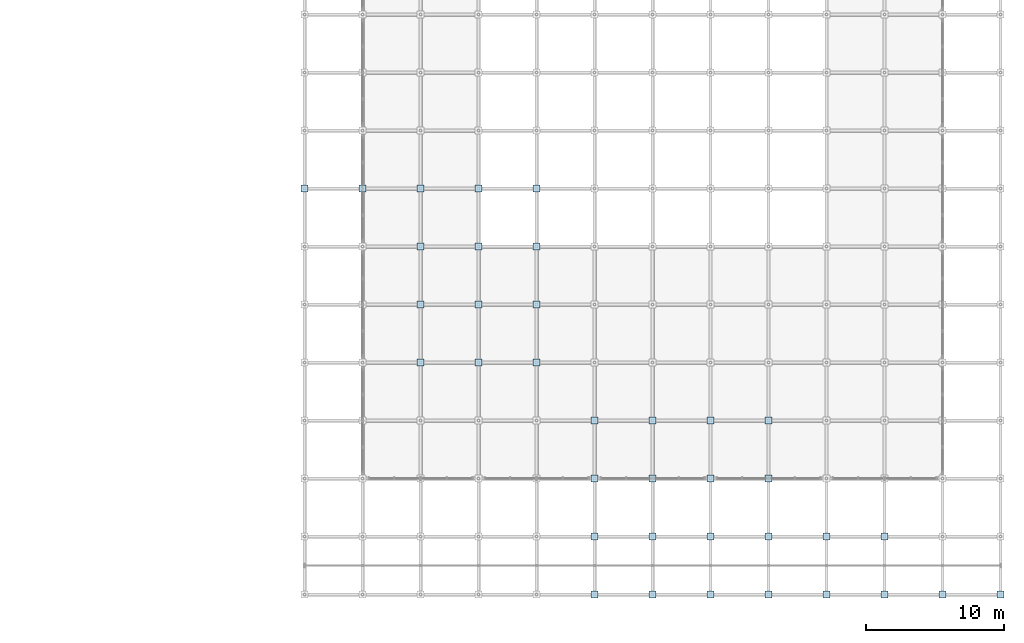
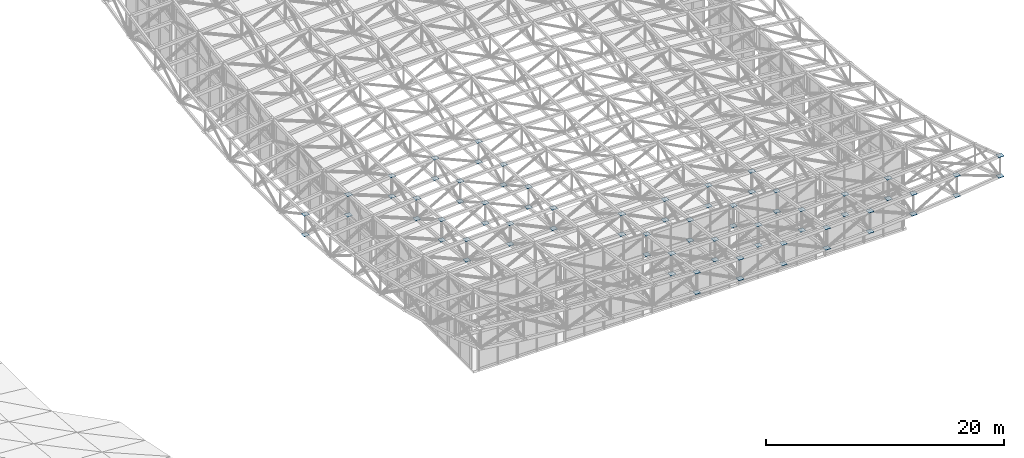
# One storey, part 75 of 123: 72 plates.
"""IFC4 building model written with IfcOpenShell, lengths in metres."""

from ifc_helpers import new_model, si_unit, direction, frame, origin, origin_2d, place, context, subcontext, project, spatial, rectangle, extrude, material, layer, layer_set, type_object, element, save


model = new_model("IFC4")

# Units and contexts
model_context = context("Model", 3, precision=1e-05, world=origin(), true_north=direction((0.0, 1.0)))
body_context = subcontext(model_context, "Body", "Model", "MODEL_VIEW")
ifc_project = project(units=[si_unit("LENGTHUNIT", "METRE"), si_unit("AREAUNIT", "SQUARE_METRE"), si_unit("VOLUMEUNIT", "CUBIC_METRE"), si_unit("PLANEANGLEUNIT", "RADIAN"), si_unit("MASSUNIT", "GRAM", prefix="KILO")], contexts=[model_context])

# Site, building, storey
site_placement = place(None, origin())
site = spatial("IfcSite", under=ifc_project, at=site_placement, CompositionType="ELEMENT")
building_placement = place(site_placement, origin())
building = spatial("IfcBuilding", under=site, at=building_placement, Name="Cumbredor Promenade Congress Hotel", CompositionType="ELEMENT")
storey_placement = place(building_placement, frame((0.0, 0.0, 11.760009765625)))
storey = spatial("IfcBuildingStorey", under=building, at=storey_placement, Name="L03", CompositionType="ELEMENT", Elevation=11.760009765625)

# Plates
ifc_material = material(Name="Steel ASTM A572 Grade 50", Category="steel")
ifc_layer = layer(ifc_material, 0.031982421875, Name="Steel ASTM A572 Grade 50", Category="steel")
ifc_layer_set = layer_set([ifc_layer], Name="Steel ASTM A572 Grade 50")
plate_type = type_object("IfcPlateType", Name="Space Frame Node Assembly ND-02", PredefinedType="USERDEFINED", material=ifc_layer_set)
for number, where, z_axis, x_axis, name in (
    (1, (138.60009765625, 29.39990234375, 4.8125), (0.0, 0.0, 1.0), (1.0, 0.0, 0.0), "Grand Ballroom Pavilion Space Frame Top Node 1.8"),
    (2, (138.60009765625, 29.39990234375, 2.71240234375), (0.0, 0.0, 1.0), (1.0, 0.0, 0.0), "Grand Ballroom Pavilion Space Frame Bottom Node 1.8"),
    (3, (142.800048828125, 29.39990234375, 5.3583984375), (0.0, 0.0, 1.0), (1.0, 0.0, 0.0), "Grand Ballroom Pavilion Space Frame Top Node 2.8"),
    (4, (142.800048828125, 29.39990234375, 3.2587890625), (0.0, 0.0, 1.0), (1.0, 0.0, 0.0), "Grand Ballroom Pavilion Space Frame Bottom Node 2.8"),
    (5, (147.0, 16.800048828125, 6.90087890625), (0.0, 0.0, 1.0), (1.0, 0.0, 0.0), "Grand Ballroom Pavilion Space Frame Top Node 3.5"),
    (6, (147.0, 16.800048828125, 4.80078125), (0.0, 0.0, 1.0), (1.0, 0.0, 0.0), "Grand Ballroom Pavilion Space Frame Bottom Node 3.5"),
    (7, (147.0, 21.0, 6.41455078125), (0.0, 0.0, 1.0), (1.0, 0.0, 0.0), "Grand Ballroom Pavilion Space Frame Top Node 3.6"),
    (8, (147.0, 21.0, 4.314453125), (0.0, 0.0, 1.0), (1.0, 0.0, 0.0), "Grand Ballroom Pavilion Space Frame Bottom Node 3.6"),
    (9, (147.0, 25.199951171875, 6.0498046875), (0.0, 0.0, 1.0), (1.0, 0.0, 0.0), "Grand Ballroom Pavilion Space Frame Top Node 3.7"),
    (10, (147.0, 25.199951171875, 3.94970703125), (0.0, 0.0, 1.0), (1.0, 0.0, 0.0), "Grand Ballroom Pavilion Space Frame Bottom Node 3.7"),
    (11, (147.0, 29.39990234375, 5.806640625), (0.0, 0.0, 1.0), (1.0, 0.0, 0.0), "Grand Ballroom Pavilion Space Frame Top Node 3.8"),
    (12, (147.0, 29.39990234375, 3.70654296875), (0.0, 0.0, 1.0), (1.0, 0.0, 0.0), "Grand Ballroom Pavilion Space Frame Bottom Node 3.8"),
    (13, (151.199951171875, 16.800048828125, 7.0751953125), (0.0, 0.0, 1.0), (1.0, 0.0, 0.0), "Grand Ballroom Pavilion Space Frame Top Node 4.5"),
    (14, (151.199951171875, 16.800048828125, 4.97509765625), (0.0, 0.0, 1.0), (1.0, 0.0, 0.0), "Grand Ballroom Pavilion Space Frame Bottom Node 4.5"),
    (15, (151.199951171875, 21.0, 6.666015625), (0.0, 0.0, 1.0), (1.0, 0.0, 0.0), "Grand Ballroom Pavilion Space Frame Top Node 4.6"),
    (16, (151.199951171875, 21.0, 4.56640625), (0.0, 0.0, 1.0), (1.0, 0.0, 0.0), "Grand Ballroom Pavilion Space Frame Bottom Node 4.6"),
    (17, (151.199951171875, 25.199951171875, 6.359375), (0.0, 0.0, 1.0), (1.0, 0.0, 0.0), "Grand Ballroom Pavilion Space Frame Top Node 4.7"),
    (18, (151.199951171875, 25.199951171875, 4.25927734375), (0.0, 0.0, 1.0), (1.0, 0.0, 0.0), "Grand Ballroom Pavilion Space Frame Bottom Node 4.7"),
    (19, (151.199951171875, 29.39990234375, 6.15478515625), (0.0, 0.0, 1.0), (1.0, 0.0, 0.0), "Grand Ballroom Pavilion Space Frame Top Node 4.8"),
    (20, (151.199951171875, 29.39990234375, 4.0546875), (0.0, 0.0, 1.0), (1.0, 0.0, 0.0), "Grand Ballroom Pavilion Space Frame Bottom Node 4.8"),
    (21, (155.39990234375, 16.800048828125, 7.19970703125), (0.0, 0.0, 1.0), (1.0, 0.0, 0.0), "Grand Ballroom Pavilion Space Frame Top Node 5.5"),
    (22, (155.39990234375, 16.800048828125, 5.099609375), (0.0, 0.0, 1.0), (1.0, 0.0, 0.0), "Grand Ballroom Pavilion Space Frame Bottom Node 5.5"),
    (23, (155.39990234375, 21.0, 6.84619140625), (0.0, 0.0, 1.0), (1.0, 0.0, 0.0), "Grand Ballroom Pavilion Space Frame Top Node 5.6"),
    (24, (155.39990234375, 21.0, 4.74609375), (0.0, 0.0, 1.0), (1.0, 0.0, 0.0), "Grand Ballroom Pavilion Space Frame Bottom Node 5.6"),
    (25, (155.39990234375, 25.199951171875, 6.58056640625), (0.0, 0.0, 1.0), (1.0, 0.0, 0.0), "Grand Ballroom Pavilion Space Frame Top Node 5.7"),
    (26, (155.39990234375, 25.199951171875, 4.48046875), (0.0, 0.0, 1.0), (1.0, 0.0, 0.0), "Grand Ballroom Pavilion Space Frame Bottom Node 5.7"),
    (27, (155.39990234375, 29.39990234375, 6.40380859375), (0.0, 0.0, 1.0), (1.0, 0.0, 0.0), "Grand Ballroom Pavilion Space Frame Top Node 5.8"),
    (28, (155.39990234375, 29.39990234375, 4.3037109375), (0.0, 0.0, 1.0), (1.0, 0.0, 0.0), "Grand Ballroom Pavilion Space Frame Bottom Node 5.8"),
    (29, (159.60009765625, 0.0, 9.3603515625), (0.0, 0.0, 1.0), (1.0, 0.0, 0.0), "Grand Ballroom Pavilion Space Frame Top Node 6.1"),
    (30, (159.60009765625, 0.0, 7.26025390625), (0.0, 0.0, 1.0), (1.0, 0.0, 0.0), "Grand Ballroom Pavilion Space Frame Bottom Node 6.1"),
    (31, (159.60009765625, 4.199951171875, 8.71728515625), (0.0, 0.0, 1.0), (1.0, 0.0, 0.0), "Grand Ballroom Pavilion Space Frame Top Node 6.2"),
    (32, (159.60009765625, 4.199951171875, 6.6171875), (0.0, 0.0, 1.0), (1.0, 0.0, 0.0), "Grand Ballroom Pavilion Space Frame Bottom Node 6.2"),
    (33, (159.60009765625, 8.39990234375, 8.15625), (0.0, 0.0, 1.0), (1.0, 0.0, 0.0), "Grand Ballroom Pavilion Space Frame Top Node 6.3"),
    (34, (159.60009765625, 8.39990234375, 6.056640625), (0.0, 0.0, 1.0), (1.0, 0.0, 0.0), "Grand Ballroom Pavilion Space Frame Bottom Node 6.3"),
    (35, (159.60009765625, 12.60009765625, 7.67529296875), (0.0, 0.0, 1.0), (1.0, 0.0, 0.0), "Grand Ballroom Pavilion Space Frame Top Node 6.4"),
    (36, (159.60009765625, 12.60009765625, 5.5751953125), (0.0, 0.0, 1.0), (1.0, 0.0, 0.0), "Grand Ballroom Pavilion Space Frame Bottom Node 6.4"),
    (37, (163.800048828125, 0.0, 9.3134765625), (0.0, 0.0, 1.0), (1.0, 0.0, 0.0), "Grand Ballroom Pavilion Space Frame Top Node 7.1"),
    (38, (163.800048828125, 0.0, 7.21337890625), (0.0, 0.0, 1.0), (1.0, 0.0, 0.0), "Grand Ballroom Pavilion Space Frame Bottom Node 7.1"),
    (39, (163.800048828125, 4.199951171875, 8.69287109375), (0.0, 0.0, 1.0), (1.0, 0.0, 0.0), "Grand Ballroom Pavilion Space Frame Top Node 7.2"),
    (40, (163.800048828125, 4.199951171875, 6.5927734375), (0.0, 0.0, 1.0), (1.0, 0.0, 0.0), "Grand Ballroom Pavilion Space Frame Bottom Node 7.2"),
    (41, (163.800048828125, 8.39990234375, 8.1513671875), (0.0, 0.0, 1.0), (1.0, 0.0, 0.0), "Grand Ballroom Pavilion Space Frame Top Node 7.3"),
    (42, (163.800048828125, 8.39990234375, 6.05126953125), (0.0, 0.0, 1.0), (1.0, 0.0, 0.0), "Grand Ballroom Pavilion Space Frame Bottom Node 7.3"),
    (43, (163.800048828125, 12.60009765625, 7.6865234375), (0.0, 0.0, 1.0), (1.0, 0.0, 0.0), "Grand Ballroom Pavilion Space Frame Top Node 7.4"),
    (44, (163.800048828125, 12.60009765625, 5.5869140625), (0.0, 0.0, 1.0), (1.0, 0.0, 0.0), "Grand Ballroom Pavilion Space Frame Bottom Node 7.4"),
    (45, (168.0, 0.0, 9.3603515625), (0.0, 0.0, 1.0), (1.0, 0.0, 0.0), "Grand Ballroom Pavilion Space Frame Top Node 8.1"),
    (46, (168.0, 0.0, 7.26025390625), (0.0, 0.0, 1.0), (1.0, 0.0, 0.0), "Grand Ballroom Pavilion Space Frame Bottom Node 8.1"),
    (47, (168.0, 4.199951171875, 8.71728515625), (0.0, 0.0, 1.0), (1.0, 0.0, 0.0), "Grand Ballroom Pavilion Space Frame Top Node 8.2"),
    (48, (168.0, 4.199951171875, 6.6171875), (0.0, 0.0, 1.0), (1.0, 0.0, 0.0), "Grand Ballroom Pavilion Space Frame Bottom Node 8.2"),
    (49, (168.0, 8.39990234375, 8.15625), (0.0, 0.0, 1.0), (1.0, 0.0, 0.0), "Grand Ballroom Pavilion Space Frame Top Node 8.3"),
    (50, (168.0, 8.39990234375, 6.056640625), (0.0, 0.0, 1.0), (1.0, 0.0, 0.0), "Grand Ballroom Pavilion Space Frame Bottom Node 8.3"),
    (51, (168.0, 12.60009765625, 7.67529296875), (0.0, 0.0, 1.0), (1.0, 0.0, 0.0), "Grand Ballroom Pavilion Space Frame Top Node 8.4"),
    (52, (168.0, 12.60009765625, 5.5751953125), (0.0, 0.0, 1.0), (1.0, 0.0, 0.0), "Grand Ballroom Pavilion Space Frame Bottom Node 8.4"),
    (53, (172.199951171875, 0.0, 9.5009765625), (0.0, 0.0, 1.0), (1.0, 0.0, 0.0), "Grand Ballroom Pavilion Space Frame Top Node 9.1"),
    (54, (172.199951171875, 0.0, 7.40087890625), (0.0, 0.0, 1.0), (1.0, 0.0, 0.0), "Grand Ballroom Pavilion Space Frame Bottom Node 9.1"),
    (55, (172.199951171875, 4.199951171875, 8.79150390625), (0.0, 0.0, 1.0), (1.0, 0.0, 0.0), "Grand Ballroom Pavilion Space Frame Top Node 9.2"),
    (56, (172.199951171875, 4.199951171875, 6.69140625), (0.0, 0.0, 1.0), (1.0, 0.0, 0.0), "Grand Ballroom Pavilion Space Frame Bottom Node 9.2"),
    (57, (172.199951171875, 8.39990234375, 8.17236328125), (0.0, 0.0, 1.0), (1.0, 0.0, 0.0), "Grand Ballroom Pavilion Space Frame Top Node 9.3"),
    (58, (172.199951171875, 8.39990234375, 6.07275390625), (0.0, 0.0, 1.0), (1.0, 0.0, 0.0), "Grand Ballroom Pavilion Space Frame Bottom Node 9.3"),
    (59, (172.199951171875, 12.60009765625, 7.64208984375), (0.0, 0.0, 1.0), (1.0, 0.0, 0.0), "Grand Ballroom Pavilion Space Frame Top Node 9.4"),
    (60, (172.199951171875, 12.60009765625, 5.5419921875), (0.0, 0.0, 1.0), (1.0, 0.0, 0.0), "Grand Ballroom Pavilion Space Frame Bottom Node 9.4"),
    (61, (176.39990234375, 0.0, 9.7353515625), (0.0, 0.0, 1.0), (1.0, 0.0, 0.0), "Grand Ballroom Pavilion Space Frame Top Node 10.1"),
    (62, (176.39990234375, 0.0, 7.6357421875), (0.0, 0.0, 1.0), (1.0, 0.0, 0.0), "Grand Ballroom Pavilion Space Frame Bottom Node 10.1"),
    (63, (176.39990234375, 4.199951171875, 8.91455078125), (0.0, 0.0, 1.0), (1.0, 0.0, 0.0), "Grand Ballroom Pavilion Space Frame Top Node 10.2"),
    (64, (176.39990234375, 4.199951171875, 6.81494140625), (0.0, 0.0, 1.0), (1.0, 0.0, 0.0), "Grand Ballroom Pavilion Space Frame Bottom Node 10.2"),
    (65, (180.60009765625, 0.0, 10.0634765625), (0.0, 0.0, 1.0), (1.0, 0.0, 0.0), "Grand Ballroom Pavilion Space Frame Top Node 11.1"),
    (66, (180.60009765625, 0.0, 7.9638671875), (0.0, 0.0, 1.0), (1.0, 0.0, 0.0), "Grand Ballroom Pavilion Space Frame Bottom Node 11.1"),
    (67, (180.60009765625, 4.199951171875, 9.08740234375), (0.0, 0.0, 1.0), (1.0, 0.0, 0.0), "Grand Ballroom Pavilion Space Frame Top Node 11.2"),
    (68, (180.60009765625, 4.199951171875, 6.9873046875), (0.0, 0.0, 1.0), (1.0, 0.0, 0.0), "Grand Ballroom Pavilion Space Frame Bottom Node 11.2"),
    (69, (184.800048828125, 0.0, 10.4853515625), (0.0, 0.0, 1.0), (1.0, 0.0, 0.0), "Grand Ballroom Pavilion Space Frame Top Node 12.1"),
    (70, (184.800048828125, 0.0, 8.38525390625), (0.0, 0.0, 1.0), (1.0, 0.0, 0.0), "Grand Ballroom Pavilion Space Frame Bottom Node 12.1"),
    (71, (189.0, 0.0, 11.00146484375), (0.0, 0.0, 1.0), (1.0, 0.0, 0.0), "Grand Ballroom Pavilion Space Frame Top Node 13.1"),
    (72, (189.0, 0.0, 8.9013671875), (0.0, 0.0, 1.0), (1.0, 0.0, 0.0), "Grand Ballroom Pavilion Space Frame Bottom Node 13.1"),
):
    element("IfcPlate", number, at=place(storey_placement, frame(where, z_axis=z_axis, x_axis=x_axis)), inside=storey, type_object=plate_type, Name=name, ObjectType="GUSSET PLATE", PredefinedType="USERDEFINED", context=body_context, shape_type="SweptSolid", body=[
        extrude(rectangle(XDim=0.5, YDim=0.5, at=origin_2d()), origin(), (0.0, 0.0, 1.0), 0.031982421875),
    ])

save(model, "model.ifc")
